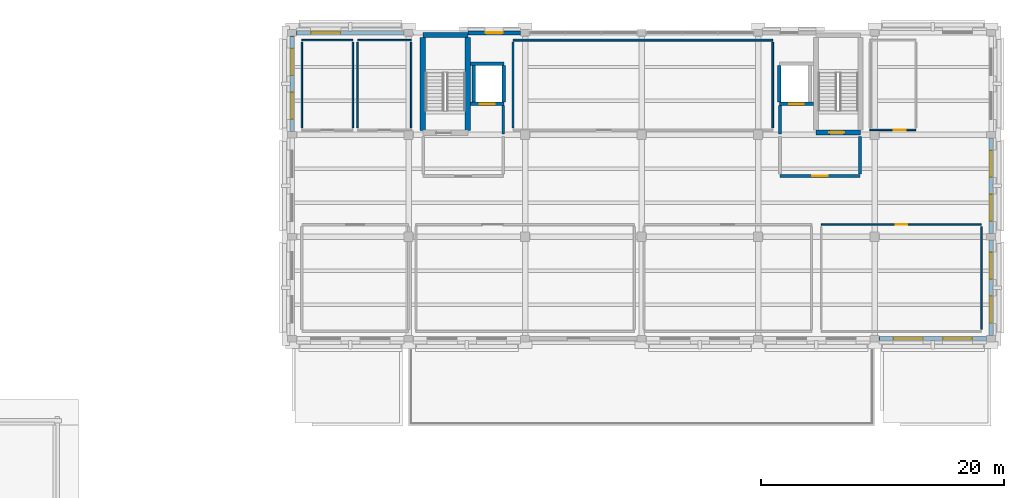
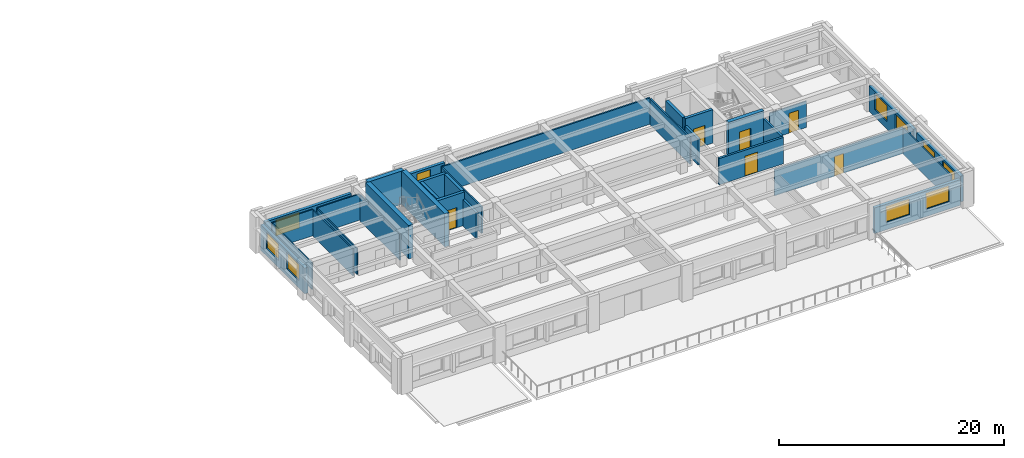
# One storey, part 5 of 10: 32 walls, 10 windows, 6 doors, 16 openings.
"""IFC4 building model written with IfcOpenShell, lengths in metres."""

import ifcopenshell
import ifcopenshell.guid

model = None  # the IFC model being written
_history = None  # IfcOwnerHistory: only IFC2X3 demands one
_inside = {}  # id of a spatial element -> (the spatial element, [elements in it])
_under = {}  # id of a project, library or spatial element -> (it, [spatial elements below it])
_declared = {}  # id of a project -> (the project, [libraries it declares])
_typed = {}  # id of a type object -> (the type object, [elements of that type])
_made_of = {}  # id of a material, layer set ... -> (it, [elements and type objects made of it])


def new_model(schema):
    """Start an empty IFC model of exactly this schema.

    Asked for "IFC4X3", IfcOpenShell would pick the latest addendum, in which some entities
    have other attributes; the version numbers below select the first issue.
    IFC2X3 requires an IfcOwnerHistory on every rooted entity: one is made here for all.
    """
    global model, _history
    if schema == "IFC4X3":
        model = ifcopenshell.file(schema_version=(4, 3, 0, 0))
    else:
        model = ifcopenshell.file(schema=schema)
    _inside.clear()
    _under.clear()
    _declared.clear()
    _typed.clear()
    _made_of.clear()
    _history = None
    if model.schema == "IFC2X3":
        org = make("IfcOrganization", Name="unknown")
        user = make(
            "IfcPersonAndOrganization",
            ThePerson=make("IfcPerson", FamilyName="unknown"),
            TheOrganization=org,
        )
        app = make(
            "IfcApplication",
            ApplicationDeveloper=org,
            Version="unknown",
            ApplicationFullName="unknown",
            ApplicationIdentifier="unknown",
        )
        _history = make(
            "IfcOwnerHistory",
            OwningUser=user,
            OwningApplication=app,
            ChangeAction="ADDED",
            CreationDate=0,
        )
    return model


def make(cls, **values):
    """One entity of the class cls with the attributes given. An attribute that is None is left unset."""
    return model.create_entity(
        cls, **{name: value for name, value in values.items() if value is not None}
    )


def rooted(cls, **values):
    """An entity with a GlobalId (a new one), such as an element, a storey or a relation."""
    return make(cls, GlobalId=ifcopenshell.guid.new(), OwnerHistory=_history, **values)


def si_unit(unit_type, name, prefix=None):
    """IfcSIUnit, for example si_unit("LENGTHUNIT", "METRE", prefix="MILLI")."""
    return make("IfcSIUnit", UnitType=unit_type, Prefix=prefix, Name=name)


def assignment(units):
    """IfcUnitAssignment: the units of a project."""
    return None if units is None else make("IfcUnitAssignment", Units=units)


def point(xyz):
    """IfcCartesianPoint."""
    return None if xyz is None else make("IfcCartesianPoint", Coordinates=xyz)


def direction(xyz):
    """IfcDirection."""
    return None if xyz is None else make("IfcDirection", DirectionRatios=xyz)


def frame(location, z_axis=None, x_axis=None):
    """IfcAxis2Placement3D, a coordinate frame: its origin and axes. An axis left out is left unset."""
    return make(
        "IfcAxis2Placement3D",
        Location=point(location),
        Axis=direction(z_axis),
        RefDirection=direction(x_axis),
    )


def frame_2d(location, x_axis=None):
    """IfcAxis2Placement2D, a coordinate frame in the plane: its origin and x axis."""
    return make(
        "IfcAxis2Placement2D", Location=point(location), RefDirection=direction(x_axis)
    )


def origin():
    """The frame at (0, 0, 0) with its axes left unset."""
    return frame((0.0, 0.0, 0.0))


def place(relative_to, where):
    """IfcLocalPlacement: puts the frame where relative to a parent placement (None: the world)."""
    return make(
        "IfcLocalPlacement", PlacementRelTo=relative_to, RelativePlacement=where
    )


def context(
    kind, dimensions, precision=None, world=None, true_north=None, identifier=None
):
    """IfcGeometricRepresentationContext, for example the 3D "Model" context."""
    return make(
        "IfcGeometricRepresentationContext",
        ContextIdentifier=identifier,
        ContextType=kind,
        CoordinateSpaceDimension=dimensions,
        Precision=precision,
        WorldCoordinateSystem=world,
        TrueNorth=true_north,
    )


def subcontext(parent, identifier, kind, view, scale=None):
    """IfcGeometricRepresentationSubContext, for example "Body" below "Model"."""
    return make(
        "IfcGeometricRepresentationSubContext",
        ContextIdentifier=identifier,
        ContextType=kind,
        ParentContext=parent,
        TargetScale=scale,
        TargetView=view,
    )


def project(units=None, contexts=None):
    """IfcProject with its units and contexts."""
    return rooted(
        "IfcProject",
        Name="project",
        RepresentationContexts=contexts,
        UnitsInContext=assignment(units),
    )


def spatial(cls, under=None, at=None, **own):
    """A site, building, storey or space (cls), placed at a placement, below another one or the project."""
    s = rooted(cls, ObjectPlacement=at, **own)
    if under is not None:
        _under.setdefault(under.id(), (under, []))[1].append(s)
    return s


def profile(cls, at=None, kind="AREA", **sizes):
    """A parametric profile (cls). Its sizes go by their IFC names, for example OverallWidth=200.0."""
    return make(cls, ProfileType=kind, Position=at, **sizes)


def rectangle(**sizes):
    """IfcRectangleProfileDef."""
    return profile("IfcRectangleProfileDef", **sizes)


def extrude(swept, where, along, depth):
    """IfcExtrudedAreaSolid: the profile swept, set in the frame where, extruded along a direction by depth."""
    return make(
        "IfcExtrudedAreaSolid",
        SweptArea=swept,
        Position=where,
        ExtrudedDirection=direction(along),
        Depth=depth,
    )


def shape(context_of_items, identifier, shape_type, items):
    """IfcShapeRepresentation: the items that make up one representation, for example the "Body"."""
    return make(
        "IfcShapeRepresentation",
        ContextOfItems=context_of_items,
        RepresentationIdentifier=identifier,
        RepresentationType=shape_type,
        Items=items,
    )


def material(Name=None, Category=None):
    """IfcMaterial."""
    return make("IfcMaterial", Name=Name, Category=Category)


def layer(
    of_material, thickness, ventilated=None, Name=None, Category=None, Priority=None
):
    """IfcMaterialLayer: one layer of a wall or slab, of a material (None: an air gap)."""
    return make(
        "IfcMaterialLayer",
        Material=of_material,
        LayerThickness=thickness,
        IsVentilated=ventilated,
        Name=Name,
        Category=Category,
        Priority=Priority,
    )


def layer_set(layers, Name=None):
    """IfcMaterialLayerSet."""
    return make("IfcMaterialLayerSet", MaterialLayers=layers, LayerSetName=Name)


def made_of(thing, what):
    """Note that an element or type object is made of a material, layer set ...; save() writes the relation."""
    if what is not None:
        _made_of.setdefault(what.id(), (what, []))[1].append(thing)
    return thing


def type_object(cls, material=None, **own):
    """A type object (cls), such as IfcWallType, which elements share."""
    return made_of(rooted(cls, **own), material)


def element(
    cls,
    number,
    at=None,
    inside=None,
    cuts=None,
    type_object=None,
    material=None,
    context=None,
    identifier="Body",
    shape_type=None,
    held_by="IfcProductDefinitionShape",
    body=None,
    shapes=None,
    **own,
):
    """One element of the class cls, such as IfcWall. Its Tag is "e" and its number.

    at: its placement. inside: the storey or other place that contains it. cuts: it is an
    opening in that element (IfcRelVoidsElement). A single representation is given by context,
    identifier, shape_type and body (its items); several are given by shapes. held_by: the class
    of the entity that holds the representations. save() writes the other relations.
    """
    e = rooted(cls, Tag="e%d" % number, ObjectPlacement=at, **own)
    if body is not None:
        shapes = [shape(context, identifier, shape_type, body)]
    if shapes is not None:
        e.Representation = make(held_by, Representations=shapes)
    if inside is not None:
        _inside.setdefault(inside.id(), (inside, []))[1].append(e)
    if cuts is not None:
        rooted(
            "IfcRelVoidsElement", RelatingBuildingElement=cuts, RelatedOpeningElement=e
        )
    if type_object is not None:
        _typed.setdefault(type_object.id(), (type_object, []))[1].append(e)
    return made_of(e, material)


def fill(opening, filler):
    """IfcRelFillsElement: the door or window that sits in an opening."""
    return rooted(
        "IfcRelFillsElement",
        RelatingOpeningElement=opening,
        RelatedBuildingElement=filler,
    )


def aggregate(whole, parts):
    """IfcRelAggregates: a whole, such as a stair, and the parts it consists of."""
    return rooted("IfcRelAggregates", RelatingObject=whole, RelatedObjects=parts)


def save(model, path):
    """Write the relations noted so far, then the file.

    IfcRelAggregates (storeys below a building ...), IfcRelContainedInSpatialStructure (elements
    in a storey), IfcRelDefinesByType, IfcRelAssociatesMaterial and IfcRelDeclares: one each for
    every whole, place, type object, material and project.
    """
    for whole, parts in _under.values():
        aggregate(whole, parts)
    for where, things in _inside.values():
        rooted(
            "IfcRelContainedInSpatialStructure",
            RelatedElements=things,
            RelatingStructure=where,
        )
    for kind, things in _typed.values():
        rooted("IfcRelDefinesByType", RelatedObjects=things, RelatingType=kind)
    for what, things in _made_of.values():
        rooted("IfcRelAssociatesMaterial", RelatedObjects=things, RelatingMaterial=what)
    for by, libraries in _declared.values():
        rooted("IfcRelDeclares", RelatingContext=by, RelatedDefinitions=libraries)
    model.write(path)


model = new_model("IFC4")

# Units and contexts
model_context = context("Model", 3, precision=1e-05, world=origin(), true_north=direction((0.0, 1.0)))
body_context = subcontext(model_context, "Body", "Model", "MODEL_VIEW")
ifc_project = project(units=[si_unit("LENGTHUNIT", "METRE"), si_unit("AREAUNIT", "SQUARE_METRE"), si_unit("VOLUMEUNIT", "CUBIC_METRE"), si_unit("PLANEANGLEUNIT", "RADIAN"), si_unit("MASSUNIT", "GRAM", prefix="KILO")], contexts=[model_context])

# Site, building, storey
site_placement = place(None, origin())
site = spatial("IfcSite", under=ifc_project, at=site_placement, CompositionType="ELEMENT")
building_placement = place(site_placement, origin())
building = spatial("IfcBuilding", under=site, at=building_placement, Name="Bempovik Park Faculty of Sciences", CompositionType="ELEMENT")
storey_placement = place(building_placement, frame((0.0, 0.0, 26.699951171875)))
storey = spatial("IfcBuildingStorey", under=building, at=storey_placement, Name="L06", CompositionType="ELEMENT", Elevation=26.699951171875)

# Walls
ifc_material_1 = material(Name="Concrete C40/50", Category="concrete")
ifc_layer_1 = layer(ifc_material_1, 0.449951171875)
ifc_layer_set_1 = layer_set([ifc_layer_1], Name="Concrete C40/50")
wall_type_1 = type_object("IfcWallType", Name="W-15 Wall 450mm", PredefinedType="SHEAR", material=ifc_layer_set_1)
for number, where, z_axis, x_axis, name in (
    (1, (70.77490234375, 111.35009765625, 0.0), (0.0, 0.0, 1.0), (0.0, 1.0, 0.0), "ST-1 L06 Core Shear Wall West"),
    (2, (74.47509765625, 111.35009765625, 0.0), (0.0, 0.0, 1.0), (0.0, 1.0, 0.0), "ST-1 L06 Core Shear Wall East"),
):
    element("IfcWall", number, at=place(storey_placement, frame(where, z_axis=z_axis, x_axis=x_axis)), inside=storey, type_object=wall_type_1, Name=name, PredefinedType="SHEAR", context=body_context, shape_type="SweptSolid", body=[
        extrude(rectangle(XDim=7.6748046875, YDim=0.449951171875, at=frame_2d((3.83740234375, 0.0))), origin(), (0.0, 0.0, 1.0), 3.6201171875),
    ])
wall_1_placement = place(storey_placement, frame((70.77490234375, 119.22509765625, 0.0), z_axis=(0.0, 0.0, 1.0), x_axis=(1.0, 0.0, 0.0)))
element("IfcWall", 3, at=wall_1_placement, inside=storey, type_object=wall_type_1, Name="ST-1 L06 Core Shear Wall North", PredefinedType="SHEAR", context=body_context, shape_type="SweptSolid", body=[
    extrude(rectangle(XDim=3.7001953125, YDim=0.449951171875, at=frame_2d((1.85009765625, 0.0))), origin(), (0.0, 0.0, 1.0), 3.6201171875),
])

# Wall, opening, door
ifc_material_2 = material(Name="Gypsum acoustic stud assembly")
ifc_layer_2 = layer(ifc_material_2, 0.1201171875)
ifc_layer_set_2 = layer_set([ifc_layer_2], Name="Gypsum acoustic stud assembly")
wall_type_2 = type_object("IfcWallType", Name="W-17 Wall 120mm", PredefinedType="PARTITIONING", material=ifc_layer_set_2)
wall_2_placement = place(storey_placement, frame((103.60009765625, 103.60009765625, 0.0), z_axis=(0.0, 0.0, 1.0), x_axis=(1.0, 0.0, 0.0)))
wall_2 = element("IfcWall", 4, at=wall_2_placement, inside=storey, type_object=wall_type_2, Name="L06 Senior Research Fellow Offices Partition North", PredefinedType="PARTITIONING", context=body_context, shape_type="SweptSolid", body=[
    extrude(rectangle(XDim=13.199951171875, YDim=0.1201171875, at=frame_2d((6.60009765625, 0.0))), origin(), (0.0, 0.0, 1.0), 2.85009765625),
])
opening_1_placement = place(wall_2_placement, frame((6.125, 0.0, 0.0)))
opening_1 = element("IfcOpeningElement", 5, at=opening_1_placement, cuts=wall_2, Name="Opening D-47", PredefinedType="OPENING", context=body_context, shape_type="SweptSolid", body=[
    extrude(rectangle(XDim=0.949951171875, YDim=2.14990234375, at=frame_2d((0.47509765625, 1.074951171875))), frame((0.0, 0.070068359375, 0.0), z_axis=(0.0, -1.0, 0.0), x_axis=(1.0, 0.0, 0.0)), (0.0, 0.0, 1.0), 0.14013671875),
])
ifc_material_3 = material(Name="West African hardwood finish", Category="wood")
door_type_1 = type_object("IfcDoorType", Name="D-47 Door 950x2150", OperationType="NOTDEFINED", PredefinedType="DOOR", material=ifc_material_3)
door_1_placement = place(opening_1_placement, origin())
door_1 = element("IfcDoor", 6, at=door_1_placement, inside=storey, type_object=door_type_1, Name="L06 Senior Research Fellow Offices Door", OperationType="SINGLE_SWING_RIGHT", OverallHeight=2.14990234375, OverallWidth=0.949951171875, PredefinedType="DOOR", context=body_context, shape_type="SweptSolid", body=[
    extrude(rectangle(XDim=0.949951171875, YDim=2.14990234375, at=frame_2d((0.47509765625, 1.074951171875))), frame((0.0, 0.02490234375, 0.0), z_axis=(0.0, -1.0, 0.0), x_axis=(1.0, 0.0, 0.0)), (0.0, 0.0, 1.0), 0.050048828125),
])
fill(opening_1, door_1)

# Walls
wall_3_placement = place(storey_placement, frame((116.800048828125, 94.9599609375, 0.0), z_axis=(0.0, 0.0, 1.0), x_axis=(0.0, 1.0, 0.0)))
element("IfcWall", 7, at=wall_3_placement, inside=storey, type_object=wall_type_2, Name="L06 Senior Research Fellow Offices Partition East", PredefinedType="PARTITIONING", context=body_context, shape_type="SweptSolid", body=[
    extrude(rectangle(XDim=8.47998046875, YDim=0.1201171875, at=frame_2d((4.239990234375, 0.0))), origin(), (0.0, 0.0, 1.0), 2.85009765625),
])
wall_4_placement = place(storey_placement, frame((60.800048828125, 118.800048828125, 0.0), z_axis=(0.0, 0.0, 1.0), x_axis=(1.0, 0.0, 0.0)))
element("IfcWall", 8, at=wall_4_placement, inside=storey, type_object=wall_type_2, Name="L06 L06 Male WC Partition North", PredefinedType="PARTITIONING", context=body_context, shape_type="SweptSolid", body=[
    extrude(rectangle(XDim=4.199951171875, YDim=0.1201171875, at=frame_2d((2.10009765625, 0.0))), origin(), (0.0, 0.0, 1.0), 2.85009765625),
])
for number, where, z_axis, x_axis, name in (
    (9, (60.800048828125, 111.56005859375, 0.0), (0.0, 0.0, 1.0), (0.0, 1.0, 0.0), "L06 L06 Male WC Partition West"),
    (10, (65.0, 111.56005859375, 0.0), (0.0, 0.0, 1.0), (0.0, 1.0, 0.0), "L06 L06 Male WC Partition East"),
):
    element("IfcWall", number, at=place(storey_placement, frame(where, z_axis=z_axis, x_axis=x_axis)), inside=storey, type_object=wall_type_2, Name=name, PredefinedType="PARTITIONING", context=body_context, shape_type="SweptSolid", body=[
        extrude(rectangle(XDim=7.079833984375, YDim=0.1201171875, at=frame_2d((3.5400390625, 0.0))), origin(), (0.0, 0.0, 1.0), 2.85009765625),
    ])
wall_5_placement = place(storey_placement, frame((65.39990234375, 118.800048828125, 0.0), z_axis=(0.0, 0.0, 1.0), x_axis=(1.0, 0.0, 0.0)))
element("IfcWall", 11, at=wall_5_placement, inside=storey, type_object=wall_type_2, Name="L06 L06 Female WC Partition North", PredefinedType="PARTITIONING", context=body_context, shape_type="SweptSolid", body=[
    extrude(rectangle(XDim=4.400146484375, YDim=0.1201171875, at=frame_2d((2.2001953125, 0.0))), origin(), (0.0, 0.0, 1.0), 2.85009765625),
])
for number, where, z_axis, x_axis, name in (
    (12, (65.39990234375, 111.56005859375, 0.0), (0.0, 0.0, 1.0), (0.0, 1.0, 0.0), "L06 L06 Female WC Partition West"),
    (13, (69.800048828125, 111.56005859375, 0.0), (0.0, 0.0, 1.0), (0.0, 1.0, 0.0), "L06 L06 Female WC Partition East"),
):
    element("IfcWall", number, at=place(storey_placement, frame(where, z_axis=z_axis, x_axis=x_axis)), inside=storey, type_object=wall_type_2, Name=name, PredefinedType="PARTITIONING", context=body_context, shape_type="SweptSolid", body=[
        extrude(rectangle(XDim=7.079833984375, YDim=0.1201171875, at=frame_2d((3.5400390625, 0.0))), origin(), (0.0, 0.0, 1.0), 2.85009765625),
    ])

# Wall, opening, door
wall_6_placement = place(storey_placement, frame((107.60009765625, 111.39990234375, 0.0), z_axis=(0.0, 0.0, 1.0), x_axis=(1.0, 0.0, 0.0)))
wall_6 = element("IfcWall", 14, at=wall_6_placement, inside=storey, type_object=wall_type_2, Name="L06 L06 Accessible WC Partition South", PredefinedType="PARTITIONING", context=body_context, shape_type="SweptSolid", body=[
    extrude(rectangle(XDim=3.7998046875, YDim=0.1201171875, at=frame_2d((1.89990234375, 0.0))), origin(), (0.0, 0.0, 1.0), 2.85009765625),
])
opening_2_placement = place(wall_6_placement, frame((1.969970703125, 0.0, 0.0)))
opening_2 = element("IfcOpeningElement", 15, at=opening_2_placement, cuts=wall_6, Name="Opening D-50", PredefinedType="OPENING", context=body_context, shape_type="SweptSolid", body=[
    extrude(rectangle(XDim=1.0, YDim=2.14990234375, at=frame_2d((0.5, 1.074951171875))), frame((0.0, 0.070068359375, 0.0), z_axis=(0.0, -1.0, 0.0), x_axis=(1.0, 0.0, 0.0)), (0.0, 0.0, 1.0), 0.14013671875),
])
door_type_2 = type_object("IfcDoorType", Name="D-50 Door 1000x2150", OperationType="NOTDEFINED", PredefinedType="DOOR", material=ifc_material_3)
door_2_placement = place(opening_2_placement, origin())
door_2 = element("IfcDoor", 16, at=door_2_placement, inside=storey, type_object=door_type_2, Name="L06 L06 Accessible WC Door", OperationType="SINGLE_SWING_RIGHT", OverallHeight=2.14990234375, OverallWidth=1.0, PredefinedType="DOOR", context=body_context, shape_type="SweptSolid", body=[
    extrude(rectangle(XDim=1.0, YDim=2.14990234375, at=frame_2d((0.5, 1.074951171875))), frame((0.0, 0.02490234375, 0.0), z_axis=(0.0, -1.0, 0.0), x_axis=(1.0, 0.0, 0.0)), (0.0, 0.0, 1.0), 0.050048828125),
])
fill(opening_2, door_2)

ifc_layer_3 = layer(ifc_material_1, 0.300048828125)
ifc_layer_set_3 = layer_set([ifc_layer_3], Name="Concrete C40/50")
wall_type_3 = type_object("IfcWallType", Name="W-31 Wall 300mm", PredefinedType="SHEAR", material=ifc_layer_set_3)
wall_7_placement = place(storey_placement, frame((74.699951171875, 113.550048828125, 0.0), z_axis=(0.0, 0.0, 1.0), x_axis=(1.0, 0.0, 0.0)))
wall_7 = element("IfcWall", 17, at=wall_7_placement, inside=storey, type_object=wall_type_3, Name="Lift LF-1 L06 Shaft Wall South", PredefinedType="SHEAR", context=body_context, shape_type="SweptSolid", body=[
    extrude(rectangle(XDim=2.75, YDim=0.300048828125, at=frame_2d((1.375, 0.0))), origin(), (0.0, 0.0, 1.0), 3.6201171875),
])
opening_3_placement = place(wall_7_placement, frame((0.77490234375, 0.0, 0.0)))
opening_3 = element("IfcOpeningElement", 18, at=opening_3_placement, cuts=wall_7, Name="Opening LD-01", PredefinedType="OPENING", context=body_context, shape_type="SweptSolid", body=[
    extrude(rectangle(XDim=1.199951171875, YDim=2.199951171875, at=frame_2d((0.60009765625, 1.10009765625))), frame((0.0, 0.16015625, 0.0), z_axis=(0.0, -1.0, 0.0), x_axis=(1.0, 0.0, 0.0)), (0.0, 0.0, 1.0), 0.320068359375),
])
ifc_material_4 = material(Name="Painted steel S355", Category="steel")
door_type_3 = type_object("IfcDoorType", Name="LD-01 Door 1200x2200", OperationType="NOTDEFINED", PredefinedType="DOOR", material=ifc_material_4)
door_3_placement = place(opening_3_placement, origin())
door_3 = element("IfcDoor", 19, at=door_3_placement, inside=storey, type_object=door_type_3, Name="Lift LF-1 L06 Sliding Landing Door", OperationType="SLIDING_TO_LEFT", OverallHeight=2.199951171875, OverallWidth=1.199951171875, PredefinedType="DOOR", context=body_context, shape_type="SweptSolid", body=[
    extrude(rectangle(XDim=1.199951171875, YDim=2.199951171875, at=frame_2d((0.60009765625, 1.10009765625))), frame((0.0, 0.02490234375, 0.0), z_axis=(0.0, -1.0, 0.0), x_axis=(1.0, 0.0, 0.0)), (0.0, 0.0, 1.0), 0.050048828125),
])
fill(opening_3, door_3)

# Walls
wall_8_placement = place(storey_placement, frame((74.699951171875, 116.85009765625, 0.0), z_axis=(0.0, 0.0, 1.0), x_axis=(1.0, 0.0, 0.0)))
element("IfcWall", 20, at=wall_8_placement, inside=storey, type_object=wall_type_3, Name="Lift LF-1 L06 Shaft Wall North", PredefinedType="SHEAR", context=body_context, shape_type="SweptSolid", body=[
    extrude(rectangle(XDim=2.75, YDim=0.300048828125, at=frame_2d((1.375, 0.0))), origin(), (0.0, 0.0, 1.0), 3.6201171875),
])
for number, where, z_axis, x_axis, name in (
    (21, (74.949951171875, 113.699951171875, 0.0), (0.0, 0.0, 1.0), (0.0, 1.0, 0.0), "Lift LF-1 L06 Shaft Wall West"),
    (22, (77.449951171875, 113.699951171875, 0.0), (0.0, 0.0, 1.0), (0.0, 1.0, 0.0), "Lift LF-1 L06 Shaft Wall East"),
):
    element("IfcWall", number, at=place(storey_placement, frame(where, z_axis=z_axis, x_axis=x_axis)), inside=storey, type_object=wall_type_3, Name=name, PredefinedType="SHEAR", context=body_context, shape_type="SweptSolid", body=[
        extrude(rectangle(XDim=3.0, YDim=0.300048828125, at=frame_2d((1.5, 0.0))), origin(), (0.0, 0.0, 1.0), 3.6201171875),
    ])

# Wall, opening, door
wall_9_placement = place(storey_placement, frame((100.14990234375, 113.550048828125, 0.0), z_axis=(0.0, 0.0, 1.0), x_axis=(1.0, 0.0, 0.0)))
wall_9 = element("IfcWall", 23, at=wall_9_placement, inside=storey, type_object=wall_type_3, Name="Lift LF-2 L06 Shaft Wall South", PredefinedType="SHEAR", context=body_context, shape_type="SweptSolid", body=[
    extrude(rectangle(XDim=2.8251953125, YDim=0.300048828125, at=frame_2d((1.41259765625, 0.0))), origin(), (0.0, 0.0, 1.0), 3.6201171875),
])
opening_4_placement = place(wall_9_placement, frame((0.8125, 0.0, 0.0)))
opening_4 = element("IfcOpeningElement", 24, at=opening_4_placement, cuts=wall_9, Name="Opening LD-01", PredefinedType="OPENING", context=body_context, shape_type="SweptSolid", body=[
    extrude(rectangle(XDim=1.199951171875, YDim=2.199951171875, at=frame_2d((0.60009765625, 1.10009765625))), frame((0.0, 0.16015625, 0.0), z_axis=(0.0, -1.0, 0.0), x_axis=(1.0, 0.0, 0.0)), (0.0, 0.0, 1.0), 0.320068359375),
])
door_4_placement = place(opening_4_placement, origin())
door_4 = element("IfcDoor", 25, at=door_4_placement, inside=storey, type_object=door_type_3, Name="Lift LF-2 L06 Sliding Landing Door", OperationType="SLIDING_TO_LEFT", OverallHeight=2.199951171875, OverallWidth=1.199951171875, PredefinedType="DOOR", context=body_context, shape_type="SweptSolid", body=[
    extrude(rectangle(XDim=1.199951171875, YDim=2.199951171875, at=frame_2d((0.60009765625, 1.10009765625))), frame((0.0, 0.02490234375, 0.0), z_axis=(0.0, -1.0, 0.0), x_axis=(1.0, 0.0, 0.0)), (0.0, 0.0, 1.0), 0.050048828125),
])
fill(opening_4, door_4)

# Walls
wall_10_placement = place(storey_placement, frame((100.14990234375, 113.699951171875, 0.0), z_axis=(0.0, 0.0, 1.0), x_axis=(0.0, 1.0, 0.0)))
element("IfcWall", 26, at=wall_10_placement, inside=storey, type_object=wall_type_3, Name="Lift LF-2 L06 Shaft Wall West", PredefinedType="SHEAR", context=body_context, shape_type="SweptSolid", body=[
    extrude(rectangle(XDim=3.0, YDim=0.300048828125, at=frame_2d((1.5, 0.0))), origin(), (0.0, 0.0, 1.0), 3.6201171875),
])
ifc_material_5 = material(Name="Concrete C35/45", Category="concrete")
ifc_layer_4 = layer(ifc_material_5, 0.219970703125)
ifc_layer_set_4 = layer_set([ifc_layer_4], Name="Concrete C35/45")
wall_type_4 = type_object("IfcWallType", Name="W-38 Wall 220mm", PredefinedType="PARTITIONING", material=ifc_layer_set_4)
wall_11_placement = place(storey_placement, frame((77.39990234375, 111.080078125, 0.0), z_axis=(0.0, 0.0, 1.0), x_axis=(0.0, 1.0, 0.0)))
element("IfcWall", 27, at=wall_11_placement, inside=storey, type_object=wall_type_4, Name="L06 Firefighting Lobby West Lift Link Wall", PredefinedType="PARTITIONING", context=body_context, shape_type="SweptSolid", body=[
    extrude(rectangle(XDim=2.31982421875, YDim=0.219970703125, at=frame_2d((1.159912109375, 0.0))), origin(), (0.0, 0.0, 1.0), 2.85009765625),
])

# Wall, opening, door
wall_12_placement = place(storey_placement, frame((100.199951171875, 107.60009765625, 0.0), z_axis=(0.0, 0.0, 1.0), x_axis=(1.0, 0.0, 0.0)))
wall_12 = element("IfcWall", 28, at=wall_12_placement, inside=storey, type_object=wall_type_4, Name="L06 Firefighting Lift Lobby East Partition South", PredefinedType="PARTITIONING", context=body_context, shape_type="SweptSolid", body=[
    extrude(rectangle(XDim=6.60009765625, YDim=0.219970703125, at=frame_2d((3.300048828125, 0.0))), origin(), (0.0, 0.0, 1.0), 2.85009765625),
])
opening_5_placement = place(wall_12_placement, frame((2.64990234375, 0.0, 0.0)))
opening_5 = element("IfcOpeningElement", 29, at=opening_5_placement, cuts=wall_12, Name="Opening D-38", PredefinedType="OPENING", context=body_context, shape_type="SweptSolid", body=[
    extrude(rectangle(XDim=1.300048828125, YDim=2.199951171875, at=frame_2d((0.64990234375, 1.10009765625))), frame((0.0, 0.1201171875, 0.0), z_axis=(0.0, -1.0, 0.0), x_axis=(1.0, 0.0, 0.0)), (0.0, 0.0, 1.0), 0.239990234375),
])
door_type_4 = type_object("IfcDoorType", Name="D-38 Door 1300x2200", OperationType="NOTDEFINED", PredefinedType="DOOR", material=ifc_material_4)
door_5_placement = place(opening_5_placement, origin())
door_5 = element("IfcDoor", 30, at=door_5_placement, inside=storey, type_object=door_type_4, Name="L06 Firefighting Lift Lobby East Door", OperationType="SINGLE_SWING_LEFT", OverallHeight=2.199951171875, OverallWidth=1.300048828125, PredefinedType="DOOR", context=body_context, shape_type="SweptSolid", body=[
    extrude(rectangle(XDim=1.300048828125, YDim=2.199951171875, at=frame_2d((0.64990234375, 1.10009765625))), frame((0.0, 0.02490234375, 0.0), z_axis=(0.0, -1.0, 0.0), x_axis=(1.0, 0.0, 0.0)), (0.0, 0.0, 1.0), 0.050048828125),
])
fill(opening_5, door_5)

# Walls
wall_13_placement = place(storey_placement, frame((100.199951171875, 111.080078125, 0.0), z_axis=(0.0, 0.0, 1.0), x_axis=(0.0, 1.0, 0.0)))
element("IfcWall", 31, at=wall_13_placement, inside=storey, type_object=wall_type_4, Name="L06 Firefighting Lobby East Lift Link Wall", PredefinedType="PARTITIONING", context=body_context, shape_type="SweptSolid", body=[
    extrude(rectangle(XDim=2.31982421875, YDim=0.219970703125, at=frame_2d((1.159912109375, 0.0))), origin(), (0.0, 0.0, 1.0), 2.85009765625),
])
wall_14_placement = place(storey_placement, frame((106.800048828125, 107.760009765625, 0.0), z_axis=(0.0, 0.0, 1.0), x_axis=(0.0, 1.0, 0.0)))
element("IfcWall", 32, at=wall_14_placement, inside=storey, type_object=wall_type_4, Name="L06 Firefighting Lift Lobby East Partition East", PredefinedType="PARTITIONING", context=body_context, shape_type="SweptSolid", body=[
    extrude(rectangle(XDim=3.080078125, YDim=0.219970703125, at=frame_2d((1.5400390625, 0.0))), origin(), (0.0, 0.0, 1.0), 2.85009765625),
])
ifc_layer_5 = layer(ifc_material_2, 0.14990234375)
ifc_layer_set_5 = layer_set([ifc_layer_5], Name="Gypsum acoustic stud assembly")
wall_type_5 = type_object("IfcWallType", Name="W-42 Wall 150mm", PredefinedType="PARTITIONING", material=ifc_layer_set_5)
wall_15_placement = place(storey_placement, frame((78.199951171875, 118.800048828125, 0.0), z_axis=(0.0, 0.0, 1.0), x_axis=(1.0, 0.0, 0.0)))
element("IfcWall", 33, at=wall_15_placement, inside=storey, type_object=wall_type_5, Name="L06 Laser Clean Prep Room Partition North", PredefinedType="PARTITIONING", context=body_context, shape_type="SweptSolid", body=[
    extrude(rectangle(XDim=21.400146484375, YDim=0.14990234375, at=frame_2d((10.7001953125, 0.0))), origin(), (0.0, 0.0, 1.0), 2.85009765625),
])
for number, where, z_axis, x_axis, name in (
    (34, (78.199951171875, 111.56005859375, 0.0), (0.0, 0.0, 1.0), (0.0, 1.0, 0.0), "L06 Laser Clean Prep Room Partition West"),
    (35, (99.60009765625, 111.56005859375, 0.0), (0.0, 0.0, 1.0), (0.0, 1.0, 0.0), "L06 Laser Clean Prep Room Partition East"),
):
    element("IfcWall", number, at=place(storey_placement, frame(where, z_axis=z_axis, x_axis=x_axis)), inside=storey, type_object=wall_type_5, Name=name, PredefinedType="PARTITIONING", context=body_context, shape_type="SweptSolid", body=[
        extrude(rectangle(XDim=7.079833984375, YDim=0.14990234375, at=frame_2d((3.5400390625, 0.0))), origin(), (0.0, 0.0, 1.0), 2.85009765625),
    ])

# Wall, opening, door
ifc_layer_6 = layer(ifc_material_1, 0.39990234375)
ifc_layer_set_6 = layer_set([ifc_layer_6], Name="Concrete C40/50")
wall_type_6 = type_object("IfcWallType", Name="W-47 Wall 400mm", PredefinedType="SHEAR", material=ifc_layer_set_6)
wall_16_placement = place(storey_placement, frame((103.175048828125, 111.175048828125, 0.0), z_axis=(0.0, 0.0, 1.0), x_axis=(1.0, 0.0, 0.0)))
wall_16 = element("IfcWall", 36, at=wall_16_placement, inside=storey, type_object=wall_type_6, Name="ST-2 L06 Core Shear Wall South", PredefinedType="SHEAR", context=body_context, shape_type="SweptSolid", body=[
    extrude(rectangle(XDim=3.64990234375, YDim=0.39990234375, at=frame_2d((1.824951171875, 0.0))), origin(), (0.0, 0.0, 1.0), 3.6201171875),
])
opening_6_placement = place(wall_16_placement, frame((1.10009765625, 0.0, 0.0)))
opening_6 = element("IfcOpeningElement", 37, at=opening_6_placement, cuts=wall_16, Name="Opening D-49", PredefinedType="OPENING", context=body_context, shape_type="SweptSolid", body=[
    extrude(rectangle(XDim=1.199951171875, YDim=2.199951171875, at=frame_2d((0.60009765625, 1.10009765625))), frame((0.0, 0.2099609375, 0.0), z_axis=(0.0, -1.0, 0.0), x_axis=(1.0, 0.0, 0.0)), (0.0, 0.0, 1.0), 0.419921875),
])
door_type_5 = type_object("IfcDoorType", Name="D-49 Door 1200x2200", OperationType="NOTDEFINED", PredefinedType="DOOR", material=ifc_material_4)
door_6_placement = place(opening_6_placement, origin())
door_6 = element("IfcDoor", 38, at=door_6_placement, inside=storey, type_object=door_type_5, Name="ST-2 L06 Protected Stair Smoke Door", OperationType="SINGLE_SWING_RIGHT", OverallHeight=2.199951171875, OverallWidth=1.199951171875, PredefinedType="DOOR", context=body_context, shape_type="SweptSolid", body=[
    extrude(rectangle(XDim=1.199951171875, YDim=2.199951171875, at=frame_2d((0.60009765625, 1.10009765625))), frame((0.0, 0.02490234375, 0.0), z_axis=(0.0, -1.0, 0.0), x_axis=(1.0, 0.0, 0.0)), (0.0, 0.0, 1.0), 0.050048828125),
])
fill(opening_6, door_6)

# Wall, openings, windows
ifc_material_6 = material(Name="Precast concrete C40/50", Category="concrete")
ifc_layer_7 = layer(ifc_material_6, 0.320068359375)
ifc_layer_set_7 = layer_set([ifc_layer_7], Name="Precast concrete C40/50")
wall_type_7 = type_object("IfcWallType", Name="W-56 Wall 320mm", PredefinedType="SOLIDWALL", material=ifc_layer_set_7)
wall_17_placement = place(storey_placement, frame((117.60009765625, 94.47705078125, 0.0), z_axis=(0.0, 0.0, 1.0), x_axis=(0.0, 1.0, 0.0)))
wall_17 = element("IfcWall", 39, at=wall_17_placement, inside=storey, type_object=wall_type_7, Name="L06 Classical Precast Facade Wall EW-L06-10347", PredefinedType="SOLIDWALL", context=body_context, shape_type="SweptSolid", body=[
    extrude(rectangle(XDim=7.845947265625, YDim=0.320068359375, at=frame_2d((3.9228515625, 0.0))), origin(), (0.0, 0.0, 1.0), 2.780029296875),
])
opening_7_placement = place(wall_17_placement, frame((1.018310546875, 0.0, 0.800048828125)))
opening_7 = element("IfcOpeningElement", 40, at=opening_7_placement, cuts=wall_17, Name="Opening WN-34", PredefinedType="OPENING", context=body_context, shape_type="SweptSolid", body=[
    extrude(rectangle(XDim=2.199951171875, YDim=1.75, at=frame_2d((1.10009765625, 0.875))), frame((0.0, 0.169921875, 0.0), z_axis=(0.0, -1.0, 0.0), x_axis=(1.0, 0.0, 0.0)), (0.0, 0.0, 1.0), 0.340087890625),
])
opening_8_placement = place(wall_17_placement, frame((4.627685546875, 0.0, 0.800048828125)))
opening_8 = element("IfcOpeningElement", 41, at=opening_8_placement, cuts=wall_17, Name="Opening WN-34", PredefinedType="OPENING", context=body_context, shape_type="SweptSolid", body=[
    extrude(rectangle(XDim=2.199951171875, YDim=1.75, at=frame_2d((1.10009765625, 0.875))), frame((0.0, 0.169921875, 0.0), z_axis=(0.0, -1.0, 0.0), x_axis=(1.0, 0.0, 0.0)), (0.0, 0.0, 1.0), 0.340087890625),
])
ifc_material_7 = material(Name="Tempered laminated low-E glass", Category="glass")
window_type_1 = type_object("IfcWindowType", Name="WN-34 Window 2200x1750", PartitioningType="SINGLE_PANEL", PredefinedType="WINDOW", material=ifc_material_7)
window_1_placement = place(opening_7_placement, origin())
window_1 = element("IfcWindow", 42, at=window_1_placement, inside=storey, type_object=window_type_1, Name="L06 Window EW-L06-10347-1", OverallHeight=1.75, OverallWidth=2.199951171875, PartitioningType="SINGLE_PANEL", PredefinedType="WINDOW", context=body_context, shape_type="SweptSolid", body=[
    extrude(rectangle(XDim=2.199951171875, YDim=1.75, at=frame_2d((1.10009765625, 0.875))), frame((0.0, 0.030029296875, 0.0), z_axis=(0.0, -1.0, 0.0), x_axis=(1.0, 0.0, 0.0)), (0.0, 0.0, 1.0), 0.06005859375),
])
fill(opening_7, window_1)
window_2_placement = place(opening_8_placement, origin())
window_2 = element("IfcWindow", 43, at=window_2_placement, inside=storey, type_object=window_type_1, Name="L06 Window EW-L06-10347-2", OverallHeight=1.75, OverallWidth=2.199951171875, PartitioningType="SINGLE_PANEL", PredefinedType="WINDOW", context=body_context, shape_type="SweptSolid", body=[
    extrude(rectangle(XDim=2.199951171875, YDim=1.75, at=frame_2d((1.10009765625, 0.875))), frame((0.0, 0.030029296875, 0.0), z_axis=(0.0, -1.0, 0.0), x_axis=(1.0, 0.0, 0.0)), (0.0, 0.0, 1.0), 0.06005859375),
])
fill(opening_8, window_2)

wall_18_placement = place(storey_placement, frame((117.60009765625, 102.876953125, 0.0), z_axis=(0.0, 0.0, 1.0), x_axis=(0.0, 1.0, 0.0)))
wall_18 = element("IfcWall", 44, at=wall_18_placement, inside=storey, type_object=wall_type_7, Name="L06 Classical Precast Facade Wall EW-L06-10360", PredefinedType="SOLIDWALL", context=body_context, shape_type="SweptSolid", body=[
    extrude(rectangle(XDim=7.845947265625, YDim=0.320068359375, at=frame_2d((3.9228515625, 0.0))), origin(), (0.0, 0.0, 1.0), 2.780029296875),
])
opening_9_placement = place(wall_18_placement, frame((1.018310546875, 0.0, 0.800048828125)))
opening_9 = element("IfcOpeningElement", 45, at=opening_9_placement, cuts=wall_18, Name="Opening WN-34", PredefinedType="OPENING", context=body_context, shape_type="SweptSolid", body=[
    extrude(rectangle(XDim=2.199951171875, YDim=1.75, at=frame_2d((1.10009765625, 0.875))), frame((0.0, 0.169921875, 0.0), z_axis=(0.0, -1.0, 0.0), x_axis=(1.0, 0.0, 0.0)), (0.0, 0.0, 1.0), 0.340087890625),
])
opening_10_placement = place(wall_18_placement, frame((4.627685546875, 0.0, 0.800048828125)))
opening_10 = element("IfcOpeningElement", 46, at=opening_10_placement, cuts=wall_18, Name="Opening WN-34", PredefinedType="OPENING", context=body_context, shape_type="SweptSolid", body=[
    extrude(rectangle(XDim=2.199951171875, YDim=1.75, at=frame_2d((1.10009765625, 0.875))), frame((0.0, 0.169921875, 0.0), z_axis=(0.0, -1.0, 0.0), x_axis=(1.0, 0.0, 0.0)), (0.0, 0.0, 1.0), 0.340087890625),
])
window_3_placement = place(opening_9_placement, origin())
window_3 = element("IfcWindow", 47, at=window_3_placement, inside=storey, type_object=window_type_1, Name="L06 Window EW-L06-10360-1", OverallHeight=1.75, OverallWidth=2.199951171875, PartitioningType="SINGLE_PANEL", PredefinedType="WINDOW", context=body_context, shape_type="SweptSolid", body=[
    extrude(rectangle(XDim=2.199951171875, YDim=1.75, at=frame_2d((1.10009765625, 0.875))), frame((0.0, 0.030029296875, 0.0), z_axis=(0.0, -1.0, 0.0), x_axis=(1.0, 0.0, 0.0)), (0.0, 0.0, 1.0), 0.06005859375),
])
fill(opening_9, window_3)
window_4_placement = place(opening_10_placement, origin())
window_4 = element("IfcWindow", 48, at=window_4_placement, inside=storey, type_object=window_type_1, Name="L06 Window EW-L06-10360-2", OverallHeight=1.75, OverallWidth=2.199951171875, PartitioningType="SINGLE_PANEL", PredefinedType="WINDOW", context=body_context, shape_type="SweptSolid", body=[
    extrude(rectangle(XDim=2.199951171875, YDim=1.75, at=frame_2d((1.10009765625, 0.875))), frame((0.0, 0.030029296875, 0.0), z_axis=(0.0, -1.0, 0.0), x_axis=(1.0, 0.0, 0.0)), (0.0, 0.0, 1.0), 0.06005859375),
])
fill(opening_10, window_4)

# Wall, opening, window
wall_19_placement = place(storey_placement, frame((60.376953125, 119.39990234375, 0.0), z_axis=(0.0, 0.0, 1.0), x_axis=(1.0, 0.0, 0.0)))
wall_19 = element("IfcWall", 49, at=wall_19_placement, inside=storey, type_object=wall_type_7, Name="L06 Classical Precast Facade Wall EW-L06-10384", PredefinedType="SOLIDWALL", context=body_context, shape_type="SweptSolid", body=[
    extrude(rectangle(XDim=8.845947265625, YDim=0.320068359375, at=frame_2d((4.4228515625, 0.0))), origin(), (0.0, 0.0, 1.0), 2.780029296875),
])
opening_11_placement = place(wall_19_placement, frame((1.1884765625, 0.0, 0.800048828125)))
opening_11 = element("IfcOpeningElement", 50, at=opening_11_placement, cuts=wall_19, Name="Opening WN-22", PredefinedType="OPENING", context=body_context, shape_type="SweptSolid", body=[
    extrude(rectangle(XDim=2.39990234375, YDim=1.75, at=frame_2d((1.199951171875, 0.875))), frame((0.0, 0.169921875, 0.0), z_axis=(0.0, -1.0, 0.0), x_axis=(1.0, 0.0, 0.0)), (0.0, 0.0, 1.0), 0.340087890625),
])
window_type_2 = type_object("IfcWindowType", Name="WN-22 Window 2400x1750", PartitioningType="SINGLE_PANEL", PredefinedType="WINDOW", material=ifc_material_7)
window_5_placement = place(opening_11_placement, origin())
window_5 = element("IfcWindow", 51, at=window_5_placement, inside=storey, type_object=window_type_2, Name="L06 Window EW-L06-10384-1", OverallHeight=1.75, OverallWidth=2.39990234375, PartitioningType="SINGLE_PANEL", PredefinedType="WINDOW", context=body_context, shape_type="SweptSolid", body=[
    extrude(rectangle(XDim=2.39990234375, YDim=1.75, at=frame_2d((1.199951171875, 0.875))), frame((0.0, 0.030029296875, 0.0), z_axis=(0.0, -1.0, 0.0), x_axis=(1.0, 0.0, 0.0)), (0.0, 0.0, 1.0), 0.06005859375),
])
fill(opening_11, window_5)

wall_20_placement = place(storey_placement, frame((74.47607421875, 119.39990234375, 0.0), z_axis=(0.0, 0.0, 1.0), x_axis=(1.0, 0.0, 0.0)))
wall_20 = element("IfcWall", 52, at=wall_20_placement, inside=storey, type_object=wall_type_7, Name="L06 Classical Precast Facade Wall EW-L06-10395", PredefinedType="SOLIDWALL", context=body_context, shape_type="SweptSolid", body=[
    extrude(rectangle(XDim=4.346923828125, YDim=0.320068359375, at=frame_2d((2.17333984375, 0.0))), origin(), (0.0, 0.0, 1.0), 2.780029296875),
])
opening_12_placement = place(wall_20_placement, frame((1.473388671875, 0.0, 0.89990234375)))
opening_12 = element("IfcOpeningElement", 53, at=opening_12_placement, cuts=wall_20, Name="Opening WN-84", PredefinedType="OPENING", context=body_context, shape_type="SweptSolid", body=[
    extrude(rectangle(XDim=1.39990234375, YDim=1.64990234375, at=frame_2d((0.699951171875, 0.824951171875))), frame((0.0, 0.169921875, 0.0), z_axis=(0.0, -1.0, 0.0), x_axis=(1.0, 0.0, 0.0)), (0.0, 0.0, 1.0), 0.340087890625),
])
window_type_3 = type_object("IfcWindowType", Name="WN-84 Window 1400x1650", PartitioningType="SINGLE_PANEL", PredefinedType="WINDOW", material=ifc_material_7)
window_6_placement = place(opening_12_placement, origin())
window_6 = element("IfcWindow", 54, at=window_6_placement, inside=storey, type_object=window_type_3, Name="L06 Stairwell Classical Lancet Window EW-L06-10395", OverallHeight=1.64990234375, OverallWidth=1.39990234375, PartitioningType="SINGLE_PANEL", PredefinedType="WINDOW", context=body_context, shape_type="SweptSolid", body=[
    extrude(rectangle(XDim=1.39990234375, YDim=1.64990234375, at=frame_2d((0.699951171875, 0.824951171875))), frame((0.0, 0.030029296875, 0.0), z_axis=(0.0, -1.0, 0.0), x_axis=(1.0, 0.0, 0.0)), (0.0, 0.0, 1.0), 0.06005859375),
])
fill(opening_12, window_6)

# Wall, openings, windows
wall_21_placement = place(storey_placement, frame((60.0, 111.277099609375, 0.0), z_axis=(0.0, 0.0, 1.0), x_axis=(0.0, 1.0, 0.0)))
wall_21 = element("IfcWall", 55, at=wall_21_placement, inside=storey, type_object=wall_type_7, Name="L06 Classical Precast Facade Wall EW-L06-10479", PredefinedType="SOLIDWALL", context=body_context, shape_type="SweptSolid", body=[
    extrude(rectangle(XDim=7.845947265625, YDim=0.320068359375, at=frame_2d((3.9228515625, 0.0))), origin(), (0.0, 0.0, 1.0), 2.780029296875),
])
opening_13_placement = place(wall_21_placement, frame((1.018310546875, 0.0, 0.800048828125)))
opening_13 = element("IfcOpeningElement", 56, at=opening_13_placement, cuts=wall_21, Name="Opening WN-34", PredefinedType="OPENING", context=body_context, shape_type="SweptSolid", body=[
    extrude(rectangle(XDim=2.199951171875, YDim=1.75, at=frame_2d((1.10009765625, 0.875))), frame((0.0, 0.169921875, 0.0), z_axis=(0.0, -1.0, 0.0), x_axis=(1.0, 0.0, 0.0)), (0.0, 0.0, 1.0), 0.340087890625),
])
opening_14_placement = place(wall_21_placement, frame((4.627685546875, 0.0, 0.800048828125)))
opening_14 = element("IfcOpeningElement", 57, at=opening_14_placement, cuts=wall_21, Name="Opening WN-34", PredefinedType="OPENING", context=body_context, shape_type="SweptSolid", body=[
    extrude(rectangle(XDim=2.199951171875, YDim=1.75, at=frame_2d((1.10009765625, 0.875))), frame((0.0, 0.169921875, 0.0), z_axis=(0.0, -1.0, 0.0), x_axis=(1.0, 0.0, 0.0)), (0.0, 0.0, 1.0), 0.340087890625),
])
window_7_placement = place(opening_13_placement, origin())
window_7 = element("IfcWindow", 58, at=window_7_placement, inside=storey, type_object=window_type_1, Name="L06 Window EW-L06-10479-1", OverallHeight=1.75, OverallWidth=2.199951171875, PartitioningType="SINGLE_PANEL", PredefinedType="WINDOW", context=body_context, shape_type="SweptSolid", body=[
    extrude(rectangle(XDim=2.199951171875, YDim=1.75, at=frame_2d((1.10009765625, 0.875))), frame((0.0, 0.030029296875, 0.0), z_axis=(0.0, -1.0, 0.0), x_axis=(1.0, 0.0, 0.0)), (0.0, 0.0, 1.0), 0.06005859375),
])
fill(opening_13, window_7)
window_8_placement = place(opening_14_placement, origin())
window_8 = element("IfcWindow", 59, at=window_8_placement, inside=storey, type_object=window_type_1, Name="L06 Window EW-L06-10479-2", OverallHeight=1.75, OverallWidth=2.199951171875, PartitioningType="SINGLE_PANEL", PredefinedType="WINDOW", context=body_context, shape_type="SweptSolid", body=[
    extrude(rectangle(XDim=2.199951171875, YDim=1.75, at=frame_2d((1.10009765625, 0.875))), frame((0.0, 0.030029296875, 0.0), z_axis=(0.0, -1.0, 0.0), x_axis=(1.0, 0.0, 0.0)), (0.0, 0.0, 1.0), 0.06005859375),
])
fill(opening_14, window_8)

wall_22_placement = place(storey_placement, frame((108.376953125, 94.199951171875, 0.0), z_axis=(0.0, 0.0, 1.0), x_axis=(1.0, 0.0, 0.0)))
wall_22 = element("IfcWall", 60, at=wall_22_placement, inside=storey, type_object=wall_type_7, Name="L06 Classical Precast Facade Wall EW-L06-10543", PredefinedType="SOLIDWALL", context=body_context, shape_type="SweptSolid", body=[
    extrude(rectangle(XDim=8.845947265625, YDim=0.320068359375, at=frame_2d((4.4228515625, 0.0))), origin(), (0.0, 0.0, 1.0), 2.780029296875),
])
opening_15_placement = place(wall_22_placement, frame((1.1884765625, 0.0, 0.800048828125)))
opening_15 = element("IfcOpeningElement", 61, at=opening_15_placement, cuts=wall_22, Name="Opening WN-22", PredefinedType="OPENING", context=body_context, shape_type="SweptSolid", body=[
    extrude(rectangle(XDim=2.39990234375, YDim=1.75, at=frame_2d((1.199951171875, 0.875))), frame((0.0, 0.169921875, 0.0), z_axis=(0.0, -1.0, 0.0), x_axis=(1.0, 0.0, 0.0)), (0.0, 0.0, 1.0), 0.340087890625),
])
opening_16_placement = place(wall_22_placement, frame((5.257568359375, 0.0, 0.800048828125)))
opening_16 = element("IfcOpeningElement", 62, at=opening_16_placement, cuts=wall_22, Name="Opening WN-22", PredefinedType="OPENING", context=body_context, shape_type="SweptSolid", body=[
    extrude(rectangle(XDim=2.39990234375, YDim=1.75, at=frame_2d((1.199951171875, 0.875))), frame((0.0, 0.169921875, 0.0), z_axis=(0.0, -1.0, 0.0), x_axis=(1.0, 0.0, 0.0)), (0.0, 0.0, 1.0), 0.340087890625),
])
window_9_placement = place(opening_15_placement, origin())
window_9 = element("IfcWindow", 63, at=window_9_placement, inside=storey, type_object=window_type_2, Name="L06 Window EW-L06-10543-1", OverallHeight=1.75, OverallWidth=2.39990234375, PartitioningType="SINGLE_PANEL", PredefinedType="WINDOW", context=body_context, shape_type="SweptSolid", body=[
    extrude(rectangle(XDim=2.39990234375, YDim=1.75, at=frame_2d((1.199951171875, 0.875))), frame((0.0, 0.030029296875, 0.0), z_axis=(0.0, -1.0, 0.0), x_axis=(1.0, 0.0, 0.0)), (0.0, 0.0, 1.0), 0.06005859375),
])
fill(opening_15, window_9)
window_10_placement = place(opening_16_placement, origin())
window_10 = element("IfcWindow", 64, at=window_10_placement, inside=storey, type_object=window_type_2, Name="L06 Window EW-L06-10543-2", OverallHeight=1.75, OverallWidth=2.39990234375, PartitioningType="SINGLE_PANEL", PredefinedType="WINDOW", context=body_context, shape_type="SweptSolid", body=[
    extrude(rectangle(XDim=2.39990234375, YDim=1.75, at=frame_2d((1.199951171875, 0.875))), frame((0.0, 0.030029296875, 0.0), z_axis=(0.0, -1.0, 0.0), x_axis=(1.0, 0.0, 0.0)), (0.0, 0.0, 1.0), 0.06005859375),
])
fill(opening_16, window_10)

save(model, "model.ifc")
